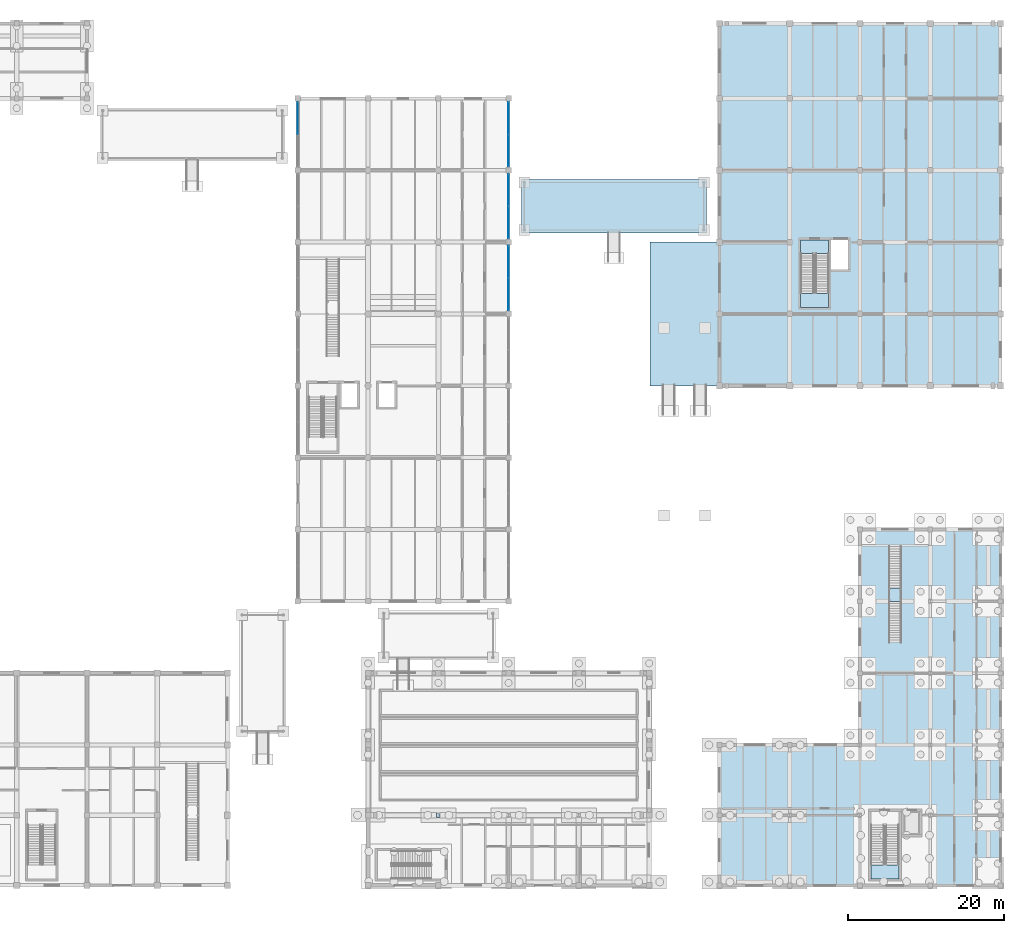
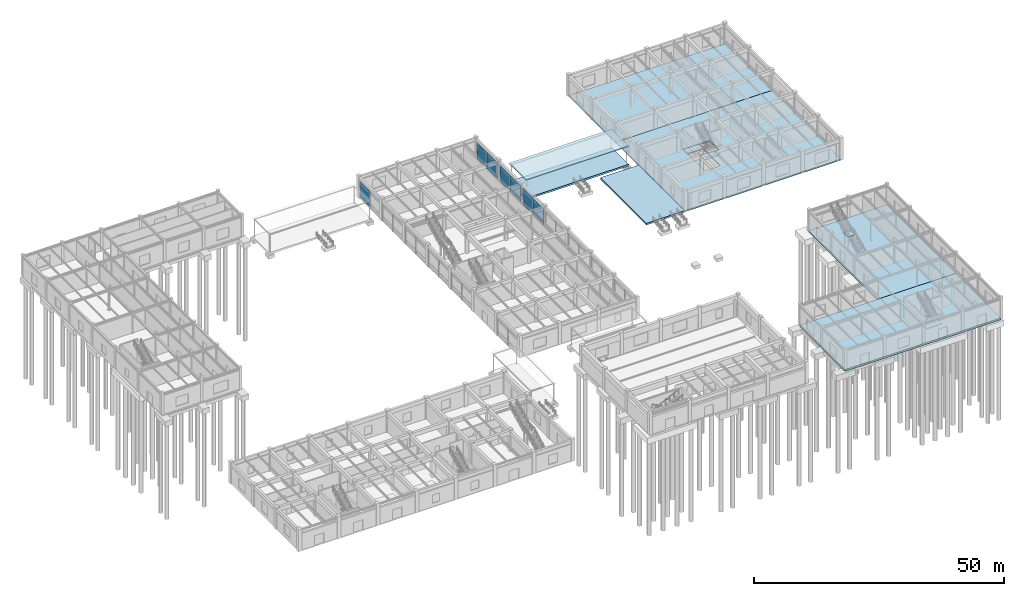
# One storey, part 37 of 76: 22 plates, 11 slabs, 7 elements without a shape of their own.
"""IFC4 building model written with IfcOpenShell, lengths in metres."""

from ifc_helpers import new_model, si_unit, direction, frame, origin, origin_2d, place, context, subcontext, project, spatial, polyline, rectangle, outline, extrude, material, layer, layer_set, type_object, element, aggregate, save


model = new_model("IFC4")

# Units and contexts
model_context = context("Model", 3, precision=1e-05, world=origin(), true_north=direction((0.0, 1.0)))
body_context = subcontext(model_context, "Body", "Model", "MODEL_VIEW")
ifc_project = project(units=[si_unit("LENGTHUNIT", "METRE"), si_unit("AREAUNIT", "SQUARE_METRE"), si_unit("VOLUMEUNIT", "CUBIC_METRE"), si_unit("PLANEANGLEUNIT", "RADIAN"), si_unit("MASSUNIT", "GRAM", prefix="KILO")], contexts=[model_context])

# Site, building, storey
site_placement = place(None, origin())
site = spatial("IfcSite", under=ifc_project, at=site_placement, CompositionType="ELEMENT")
building_placement = place(site_placement, origin())
building = spatial("IfcBuilding", under=site, at=building_placement, Name="Bozkorgan Art Gallery", CompositionType="ELEMENT")
storey_placement = place(building_placement, origin())
storey = spatial("IfcBuildingStorey", under=building, at=storey_placement, Name="L00", CompositionType="ELEMENT", Elevation=0.0)

# Curtain wall, plates
ifc_material_1 = material(Name="Anodised Bronze Aluminium", Category="aluminium")
curtain_wall_type = type_object("IfcCurtainWallType", Name="CW-CW-87", PredefinedType="NOTDEFINED", material=ifc_material_1)
curtain_wall_1_placement = place(storey_placement, origin())
curtain_wall_1 = element("IfcCurtainWall", 1, at=curtain_wall_1_placement, inside=storey, type_object=curtain_wall_type, Name="L00 unitised curtain wall CW-V4-L00-1E-16", PredefinedType="NOTDEFINED")
ifc_material_2 = material(Name="Triple Low-E Laminated Glass", Category="glass")
ifc_layer_1 = layer(ifc_material_2, 0.0439453125, Name="Triple Low-E Laminated Glass")
ifc_layer_set_1 = layer_set([ifc_layer_1], Name="Triple Low-E Laminated Glass")
plate_type_1 = type_object("IfcPlateType", Name="CWP-GLZ", PredefinedType="CURTAIN_PANEL", material=ifc_layer_set_1)
plate_1_placement = place(storey_placement, frame((101.0, 77.726318359375, 0.10009765625), z_axis=(0.0, 0.0, 1.0), x_axis=(0.0, 1.0, 0.0)))
plate_1 = element("IfcPlate", 2, at=plate_1_placement, type_object=plate_type_1, Name="CW-87 panel 1.1", PredefinedType="CURTAIN_PANEL", context=body_context, shape_type="SweptSolid", body=[
    extrude(rectangle(XDim=4.072509765625, YDim=0.0439453125, at=origin_2d()), origin(), (0.0, 0.0, 1.0), 0.780029296875),
])
plate_2_placement = place(storey_placement, frame((101.0, 77.726318359375, 0.9599609375), z_axis=(0.0, 0.0, 1.0), x_axis=(0.0, 1.0, 0.0)))
plate_2 = element("IfcPlate", 3, at=plate_2_placement, type_object=plate_type_1, Name="CW-87 panel 1.2", PredefinedType="CURTAIN_PANEL", context=body_context, shape_type="SweptSolid", body=[
    extrude(rectangle(XDim=4.072509765625, YDim=0.0439453125, at=origin_2d()), origin(), (0.0, 0.0, 1.0), 2.544921875),
])
plate_3_placement = place(storey_placement, frame((101.0, 77.726318359375, 3.5849609375), z_axis=(0.0, 0.0, 1.0), x_axis=(0.0, 1.0, 0.0)))
plate_3 = element("IfcPlate", 4, at=plate_3_placement, type_object=plate_type_1, Name="CW-87 panel 1.3", PredefinedType="CURTAIN_PANEL", context=body_context, shape_type="SweptSolid", body=[
    extrude(rectangle(XDim=4.072509765625, YDim=0.0439453125, at=origin_2d()), origin(), (0.0, 0.0, 1.0), 0.530029296875),
])
plate_4_placement = place(storey_placement, frame((101.0, 81.873779296875, 0.10009765625), z_axis=(0.0, 0.0, 1.0), x_axis=(0.0, 1.0, 0.0)))
plate_4 = element("IfcPlate", 5, at=plate_4_placement, type_object=plate_type_1, Name="CW-87 panel 2.1", PredefinedType="CURTAIN_PANEL", context=body_context, shape_type="SweptSolid", body=[
    extrude(rectangle(XDim=4.072509765625, YDim=0.0439453125, at=origin_2d()), origin(), (0.0, 0.0, 1.0), 0.780029296875),
])
plate_5_placement = place(storey_placement, frame((101.0, 81.873779296875, 0.9599609375), z_axis=(0.0, 0.0, 1.0), x_axis=(0.0, 1.0, 0.0)))
plate_5 = element("IfcPlate", 6, at=plate_5_placement, type_object=plate_type_1, Name="CW-87 panel 2.2", PredefinedType="CURTAIN_PANEL", context=body_context, shape_type="SweptSolid", body=[
    extrude(rectangle(XDim=4.072509765625, YDim=0.0439453125, at=origin_2d()), origin(), (0.0, 0.0, 1.0), 2.544921875),
])
plate_6_placement = place(storey_placement, frame((101.0, 81.873779296875, 3.5849609375), z_axis=(0.0, 0.0, 1.0), x_axis=(0.0, 1.0, 0.0)))
plate_6 = element("IfcPlate", 7, at=plate_6_placement, type_object=plate_type_1, Name="CW-87 panel 2.3", PredefinedType="CURTAIN_PANEL", context=body_context, shape_type="SweptSolid", body=[
    extrude(rectangle(XDim=4.072509765625, YDim=0.0439453125, at=origin_2d()), origin(), (0.0, 0.0, 1.0), 0.530029296875),
])
aggregate(curtain_wall_1, [plate_1, plate_2, plate_3, plate_4, plate_5, plate_6])

curtain_wall_2_placement = place(storey_placement, origin())
curtain_wall_2 = element("IfcCurtainWall", 8, at=curtain_wall_2_placement, inside=storey, type_object=curtain_wall_type, Name="L00 unitised curtain wall CW-V4-L00-1E-18", PredefinedType="NOTDEFINED")
plate_7_placement = place(storey_placement, frame((101.0, 86.92626953125, 0.10009765625), z_axis=(0.0, 0.0, 1.0), x_axis=(0.0, 1.0, 0.0)))
plate_7 = element("IfcPlate", 9, at=plate_7_placement, type_object=plate_type_1, Name="CW-87 panel 1.1", PredefinedType="CURTAIN_PANEL", context=body_context, shape_type="SweptSolid", body=[
    extrude(rectangle(XDim=4.072509765625, YDim=0.0439453125, at=origin_2d()), origin(), (0.0, 0.0, 1.0), 0.780029296875),
])
plate_8_placement = place(storey_placement, frame((101.0, 86.92626953125, 0.9599609375), z_axis=(0.0, 0.0, 1.0), x_axis=(0.0, 1.0, 0.0)))
plate_8 = element("IfcPlate", 10, at=plate_8_placement, type_object=plate_type_1, Name="CW-87 panel 1.2", PredefinedType="CURTAIN_PANEL", context=body_context, shape_type="SweptSolid", body=[
    extrude(rectangle(XDim=4.072509765625, YDim=0.0439453125, at=origin_2d()), origin(), (0.0, 0.0, 1.0), 2.544921875),
])
plate_9_placement = place(storey_placement, frame((101.0, 86.92626953125, 3.5849609375), z_axis=(0.0, 0.0, 1.0), x_axis=(0.0, 1.0, 0.0)))
plate_9 = element("IfcPlate", 11, at=plate_9_placement, type_object=plate_type_1, Name="CW-87 panel 1.3", PredefinedType="CURTAIN_PANEL", context=body_context, shape_type="SweptSolid", body=[
    extrude(rectangle(XDim=4.072509765625, YDim=0.0439453125, at=origin_2d()), origin(), (0.0, 0.0, 1.0), 0.530029296875),
])
plate_10_placement = place(storey_placement, frame((101.0, 91.07373046875, 0.10009765625), z_axis=(0.0, 0.0, 1.0), x_axis=(0.0, 1.0, 0.0)))
plate_10 = element("IfcPlate", 12, at=plate_10_placement, type_object=plate_type_1, Name="CW-87 panel 2.1", PredefinedType="CURTAIN_PANEL", context=body_context, shape_type="SweptSolid", body=[
    extrude(rectangle(XDim=4.072509765625, YDim=0.0439453125, at=origin_2d()), origin(), (0.0, 0.0, 1.0), 0.780029296875),
])
plate_11_placement = place(storey_placement, frame((101.0, 91.07373046875, 0.9599609375), z_axis=(0.0, 0.0, 1.0), x_axis=(0.0, 1.0, 0.0)))
plate_11 = element("IfcPlate", 13, at=plate_11_placement, type_object=plate_type_1, Name="CW-87 panel 2.2", PredefinedType="CURTAIN_PANEL", context=body_context, shape_type="SweptSolid", body=[
    extrude(rectangle(XDim=4.072509765625, YDim=0.0439453125, at=origin_2d()), origin(), (0.0, 0.0, 1.0), 2.544921875),
])
plate_12_placement = place(storey_placement, frame((101.0, 91.07373046875, 3.5849609375), z_axis=(0.0, 0.0, 1.0), x_axis=(0.0, 1.0, 0.0)))
plate_12 = element("IfcPlate", 14, at=plate_12_placement, type_object=plate_type_1, Name="CW-87 panel 2.3", PredefinedType="CURTAIN_PANEL", context=body_context, shape_type="SweptSolid", body=[
    extrude(rectangle(XDim=4.072509765625, YDim=0.0439453125, at=origin_2d()), origin(), (0.0, 0.0, 1.0), 0.530029296875),
])
aggregate(curtain_wall_2, [plate_7, plate_8, plate_9, plate_10, plate_11, plate_12])

curtain_wall_3_placement = place(storey_placement, origin())
curtain_wall_3 = element("IfcCurtainWall", 15, at=curtain_wall_3_placement, inside=storey, type_object=curtain_wall_type, Name="L00 unitised curtain wall CW-V4-L00-1W-19", PredefinedType="NOTDEFINED")
plate_13_placement = place(storey_placement, frame((74.0, 100.273681640625, 0.10009765625), z_axis=(0.0, 0.0, 1.0), x_axis=(0.0, 1.0, 0.0)))
plate_13 = element("IfcPlate", 16, at=plate_13_placement, type_object=plate_type_1, Name="CW-87 panel 2.1", PredefinedType="CURTAIN_PANEL", context=body_context, shape_type="SweptSolid", body=[
    extrude(rectangle(XDim=4.072509765625, YDim=0.0439453125, at=origin_2d()), origin(), (0.0, 0.0, 1.0), 0.780029296875),
])
plate_14_placement = place(storey_placement, frame((74.0, 100.273681640625, 0.9599609375), z_axis=(0.0, 0.0, 1.0), x_axis=(0.0, 1.0, 0.0)))
plate_14 = element("IfcPlate", 17, at=plate_14_placement, type_object=plate_type_1, Name="CW-87 panel 2.2", PredefinedType="CURTAIN_PANEL", context=body_context, shape_type="SweptSolid", body=[
    extrude(rectangle(XDim=4.072509765625, YDim=0.0439453125, at=origin_2d()), origin(), (0.0, 0.0, 1.0), 2.544921875),
])
plate_15_placement = place(storey_placement, frame((74.0, 100.273681640625, 3.5849609375), z_axis=(0.0, 0.0, 1.0), x_axis=(0.0, 1.0, 0.0)))
plate_15 = element("IfcPlate", 18, at=plate_15_placement, type_object=plate_type_1, Name="CW-87 panel 2.3", PredefinedType="CURTAIN_PANEL", context=body_context, shape_type="SweptSolid", body=[
    extrude(rectangle(XDim=4.072509765625, YDim=0.0439453125, at=origin_2d()), origin(), (0.0, 0.0, 1.0), 0.530029296875),
])
aggregate(curtain_wall_3, [plate_13, plate_14, plate_15])

curtain_wall_4_placement = place(storey_placement, origin())
curtain_wall_4 = element("IfcCurtainWall", 19, at=curtain_wall_4_placement, inside=storey, type_object=curtain_wall_type, Name="L00 unitised curtain wall CW-V4-L00-1E-20", PredefinedType="NOTDEFINED")
plate_16_placement = place(storey_placement, frame((101.0, 96.126220703125, 0.10009765625), z_axis=(0.0, 0.0, 1.0), x_axis=(0.0, 1.0, 0.0)))
plate_16 = element("IfcPlate", 20, at=plate_16_placement, type_object=plate_type_1, Name="CW-87 panel 1.1", PredefinedType="CURTAIN_PANEL", context=body_context, shape_type="SweptSolid", body=[
    extrude(rectangle(XDim=4.072509765625, YDim=0.0439453125, at=origin_2d()), origin(), (0.0, 0.0, 1.0), 0.780029296875),
])
plate_17_placement = place(storey_placement, frame((101.0, 96.126220703125, 0.9599609375), z_axis=(0.0, 0.0, 1.0), x_axis=(0.0, 1.0, 0.0)))
plate_17 = element("IfcPlate", 21, at=plate_17_placement, type_object=plate_type_1, Name="CW-87 panel 1.2", PredefinedType="CURTAIN_PANEL", context=body_context, shape_type="SweptSolid", body=[
    extrude(rectangle(XDim=4.072509765625, YDim=0.0439453125, at=origin_2d()), origin(), (0.0, 0.0, 1.0), 2.544921875),
])
plate_18_placement = place(storey_placement, frame((101.0, 96.126220703125, 3.5849609375), z_axis=(0.0, 0.0, 1.0), x_axis=(0.0, 1.0, 0.0)))
plate_18 = element("IfcPlate", 22, at=plate_18_placement, type_object=plate_type_1, Name="CW-87 panel 1.3", PredefinedType="CURTAIN_PANEL", context=body_context, shape_type="SweptSolid", body=[
    extrude(rectangle(XDim=4.072509765625, YDim=0.0439453125, at=origin_2d()), origin(), (0.0, 0.0, 1.0), 0.530029296875),
])
plate_19_placement = place(storey_placement, frame((101.0, 100.273681640625, 0.10009765625), z_axis=(0.0, 0.0, 1.0), x_axis=(0.0, 1.0, 0.0)))
plate_19 = element("IfcPlate", 23, at=plate_19_placement, type_object=plate_type_1, Name="CW-87 panel 2.1", PredefinedType="CURTAIN_PANEL", context=body_context, shape_type="SweptSolid", body=[
    extrude(rectangle(XDim=4.072509765625, YDim=0.0439453125, at=origin_2d()), origin(), (0.0, 0.0, 1.0), 0.780029296875),
])
plate_20_placement = place(storey_placement, frame((101.0, 100.273681640625, 0.9599609375), z_axis=(0.0, 0.0, 1.0), x_axis=(0.0, 1.0, 0.0)))
plate_20 = element("IfcPlate", 24, at=plate_20_placement, type_object=plate_type_1, Name="CW-87 panel 2.2", PredefinedType="CURTAIN_PANEL", context=body_context, shape_type="SweptSolid", body=[
    extrude(rectangle(XDim=4.072509765625, YDim=0.0439453125, at=origin_2d()), origin(), (0.0, 0.0, 1.0), 2.544921875),
])
plate_21_placement = place(storey_placement, frame((101.0, 100.273681640625, 3.5849609375), z_axis=(0.0, 0.0, 1.0), x_axis=(0.0, 1.0, 0.0)))
plate_21 = element("IfcPlate", 25, at=plate_21_placement, type_object=plate_type_1, Name="CW-87 panel 2.3", PredefinedType="CURTAIN_PANEL", context=body_context, shape_type="SweptSolid", body=[
    extrude(rectangle(XDim=4.072509765625, YDim=0.0439453125, at=origin_2d()), origin(), (0.0, 0.0, 1.0), 0.530029296875),
])
aggregate(curtain_wall_4, [plate_16, plate_17, plate_18, plate_19, plate_20, plate_21])

# Stair, slab
ifc_material_3 = material(Name="Concrete C35/45", Category="concrete")
stair_type_1 = type_object("IfcStairType", Name="STAIR-CORE3", PredefinedType="HALF_TURN_STAIR", material=ifc_material_3)
stair_1_placement = place(storey_placement, origin())
stair_1 = element("IfcStair", 26, at=stair_1_placement, inside=storey, type_object=stair_type_1, Name="L00 ST3 Core Stair", PredefinedType="HALF_TURN_STAIR")
ifc_layer_2 = layer(ifc_material_3, 0.25, Name="Concrete C35/45")
ifc_layer_set_2 = layer_set([ifc_layer_2], Name="Concrete C35/45")
slab_type_1 = type_object("IfcSlabType", Name="LAND-CORE3", PredefinedType="LANDING", material=ifc_layer_set_2)
slab_1_placement = place(storey_placement, frame((0.0, 0.0, 2.5)))
slab_1 = element("IfcSlab", 27, at=slab_1_placement, type_object=slab_type_1, Name="ST3 landing 1", PredefinedType="LANDING", context=body_context, shape_type="SweptSolid", body=[
    extrude(outline(polyline([(138.39990234375, 77.85009765625), (138.39990234375, 76.050048828125), (142.0, 76.050048828125), (142.0, 77.85009765625), (138.39990234375, 77.85009765625)])), origin(), (0.0, 0.0, 1.0), 0.199951171875),
])
aggregate(stair_1, [slab_1])

# Slab
slab_2_placement = place(storey_placement, frame((0.0, 0.0, -0.320068359375)))
element("IfcSlab", 28, at=slab_2_placement, inside=storey, type_object=slab_type_1, Name="ST3 L00 floor landing", PredefinedType="LANDING", context=body_context, shape_type="SweptSolid", body=[
    extrude(outline(polyline([(138.39990234375, 82.949951171875), (142.0, 82.949951171875), (142.0, 84.699951171875), (138.39990234375, 84.699951171875), (138.39990234375, 82.949951171875)])), origin(), (0.0, 0.0, 1.0), 0.320068359375),
])

# Stair, slab
stair_type_2 = type_object("IfcStairType", Name="STAIR-CORE4", PredefinedType="HALF_TURN_STAIR", material=ifc_material_3)
stair_2_placement = place(storey_placement, origin())
stair_2 = element("IfcStair", 29, at=stair_2_placement, inside=storey, type_object=stair_type_2, Name="L00 ST4 Core Stair", PredefinedType="HALF_TURN_STAIR")
ifc_layer_3 = layer(ifc_material_3, 0.25, Name="Concrete C35/45")
ifc_layer_set_3 = layer_set([ifc_layer_3], Name="Concrete C35/45")
slab_type_2 = type_object("IfcSlabType", Name="LAND-CORE4", PredefinedType="LANDING", material=ifc_layer_set_3)
slab_3_placement = place(storey_placement, frame((0.0, 0.0, 2.5)))
slab_3 = element("IfcSlab", 30, at=slab_3_placement, type_object=slab_type_2, Name="ST4 landing 1", PredefinedType="LANDING", context=body_context, shape_type="SweptSolid", body=[
    extrude(outline(polyline([(147.39990234375, 4.64990234375), (147.39990234375, 2.85009765625), (151.0, 2.85009765625), (151.0, 4.64990234375), (147.39990234375, 4.64990234375)])), origin(), (0.0, 0.0, 1.0), 0.199951171875),
])
aggregate(stair_2, [slab_3])

ifc_material_4 = material(Name="Steel S355J2", Category="steel")
stair_type_3 = type_object("IfcStairType", Name="FSTAIR-ST11", PredefinedType="STRAIGHT_RUN_STAIR", material=ifc_material_4)
stair_3_placement = place(storey_placement, origin())
stair_3 = element("IfcStair", 31, at=stair_3_placement, inside=storey, type_object=stair_type_3, Name="ST11 Feature Stair (L00 to L01)", PredefinedType="STRAIGHT_RUN_STAIR")
ifc_layer_4 = layer(ifc_material_3, 0.239990234375, Name="Concrete C35/45")
ifc_layer_set_4 = layer_set([ifc_layer_4], Name="Concrete C35/45")
slab_type_3 = type_object("IfcSlabType", Name="LAND-FEAT", PredefinedType="LANDING", material=ifc_layer_set_4)
slab_4_placement = place(storey_placement, frame((0.0, 0.0, 2.4599609375)))
slab_4 = element("IfcSlab", 32, at=slab_4_placement, type_object=slab_type_3, Name="ST11 intermediate landing", PredefinedType="LANDING", context=body_context, shape_type="SweptSolid", body=[
    extrude(outline(polyline([(149.7099609375, 38.39990234375), (151.2900390625, 38.39990234375), (151.2900390625, 40.1298828125), (149.7099609375, 40.1298828125), (149.7099609375, 38.39990234375)])), origin(), (0.0, 0.0, 1.0), 0.239990234375),
])
aggregate(stair_3, [slab_4])

# Plate
ifc_layer_5 = layer(ifc_material_4, 0.031982421875, Name="Steel S355J2")
ifc_layer_set_5 = layer_set([ifc_layer_5], Name="Steel S355J2")
plate_type_2 = type_object("IfcPlateType", Name="PLATE-BP-64", PredefinedType="USERDEFINED", material=ifc_layer_set_5)
plate_22_placement = place(storey_placement, frame((92.0, 11.0, 0.0), z_axis=(0.0, 0.0, 1.0), x_axis=(1.0, 0.0, 0.0)))
element("IfcPlate", 33, at=plate_22_placement, inside=storey, type_object=plate_type_2, Name="COL-V3-L00-92-11 base plate", ObjectType="END CAP PLATE", PredefinedType="USERDEFINED", context=body_context, shape_type="SweptSolid", body=[
    extrude(rectangle(XDim=0.4599609375, YDim=0.610107421875, at=origin_2d()), origin(), (0.0, 0.0, 1.0), 0.031982421875),
])

# Slabs
ifc_layer_6 = layer(ifc_material_3, 0.419921875, Name="Concrete C35/45")
ifc_layer_set_6 = layer_set([ifc_layer_6], Name="Concrete C35/45")
slab_type_4 = type_object("IfcSlabType", Name="SLAB-AP-96", PredefinedType="BASESLAB", material=ifc_layer_set_6)
slab_5_placement = place(storey_placement, frame((0.0, 0.0, -0.419921875)))
element("IfcSlab", 34, at=slab_5_placement, inside=storey, type_object=slab_type_4, Name="Loading Dock Apron and Service Yard", PredefinedType="BASESLAB", context=body_context, shape_type="SweptSolid", body=[
    extrude(outline(polyline([(119.10009765625, 66.0), (127.949951171875, 66.0), (127.949951171875, 84.39990234375), (119.10009765625, 84.39990234375), (119.10009765625, 66.0)])), origin(), (0.0, 0.0, 1.0), 0.419921875),
])
ifc_layer_7 = layer(ifc_material_3, 0.449951171875, Name="Concrete C35/45")
ifc_layer_set_7 = layer_set([ifc_layer_7], Name="Concrete C35/45")
slab_type_5 = type_object("IfcSlabType", Name="SLAB-BS-75", PredefinedType="BASESLAB", material=ifc_layer_set_7)
slab_6_placement = place(storey_placement, frame((0.0, 0.0, -0.449951171875)))
element("IfcSlab", 35, at=slab_6_placement, inside=storey, type_object=slab_type_5, Name="V6 L00 base slab 1.1", PredefinedType="BASESLAB", context=body_context, shape_type="SweptSolid", body=[
    extrude(outline(polyline([(128.0, 2.0), (164.0, 2.0), (164.0, 20.0), (128.0, 20.0), (128.0, 2.0)])), origin(), (0.0, 0.0, 1.0), 0.449951171875),
])
slab_7_placement = place(storey_placement, frame((0.0, 0.0, -0.449951171875)))
element("IfcSlab", 36, at=slab_7_placement, inside=storey, type_object=slab_type_5, Name="V6 L00 base slab 2.1", PredefinedType="BASESLAB", context=body_context, shape_type="SweptSolid", body=[
    extrude(outline(polyline([(146.0, 20.0), (164.0, 20.0), (164.0, 47.60009765625), (146.0, 47.60009765625), (146.0, 20.0)])), origin(), (0.0, 0.0, 1.0), 0.449951171875),
])
ifc_layer_8 = layer(ifc_material_3, 0.320068359375, Name="Concrete C35/45")
ifc_layer_set_8 = layer_set([ifc_layer_8], Name="Concrete C35/45")
slab_type_6 = type_object("IfcSlabType", Name="SLAB-SL-59", PredefinedType="FLOOR", material=ifc_layer_set_8)
slab_8_placement = place(storey_placement, frame((0.0, 0.0, -0.320068359375)))
element("IfcSlab", 37, at=slab_8_placement, inside=storey, type_object=slab_type_6, Name="V5 L00 floor slab 1.1", PredefinedType="FLOOR", context=body_context, shape_type="SweptSolid", body=[
    extrude(outline(polyline([(128.0, 66.0), (164.0, 66.0), (164.0, 93.60009765625), (128.0, 93.60009765625), (128.0, 66.0)]), holes=[polyline([(138.39990234375, 76.050048828125), (142.0, 76.050048828125), (142.0, 84.699951171875), (138.39990234375, 84.699951171875), (138.39990234375, 76.050048828125)]), polyline([(142.300048828125, 80.89990234375), (144.5, 80.89990234375), (144.5, 84.699951171875), (142.300048828125, 84.699951171875), (142.300048828125, 80.89990234375)])]), origin(), (0.0, 0.0, 1.0), 0.320068359375),
])
slab_9_placement = place(storey_placement, frame((0.0, 0.0, -0.320068359375)))
element("IfcSlab", 38, at=slab_9_placement, inside=storey, type_object=slab_type_6, Name="V5 L00 floor slab 1.2", PredefinedType="FLOOR", context=body_context, shape_type="SweptSolid", body=[
    extrude(outline(polyline([(128.0, 93.60009765625), (164.0, 93.60009765625), (164.0, 112.39990234375), (128.0, 112.39990234375), (128.0, 93.60009765625)])), origin(), (0.0, 0.0, 1.0), 0.320068359375),
])
ifc_layer_9 = layer(ifc_material_3, 0.43994140625, Name="Concrete C35/45")
ifc_layer_set_9 = layer_set([ifc_layer_9], Name="Concrete C35/45")
slab_type_7 = type_object("IfcSlabType", Name="SLAB-WB-45", PredefinedType="BASESLAB", material=ifc_layer_set_9)
slab_10_placement = place(storey_placement, frame((0.0, 0.0, -0.43994140625)))
element("IfcSlab", 39, at=slab_10_placement, inside=storey, type_object=slab_type_7, Name="East Water-Court Covered Walk deck slab", PredefinedType="BASESLAB", context=body_context, shape_type="SweptSolid", body=[
    extrude(outline(polyline([(102.64990234375, 85.60009765625), (126.35009765625, 85.60009765625), (126.35009765625, 92.39990234375), (102.64990234375, 92.39990234375), (102.64990234375, 85.60009765625)])), origin(), (0.0, 0.0, 1.0), 0.43994140625),
])
ifc_layer_10 = layer(ifc_material_3, 0.199951171875, Name="Concrete C35/45")
ifc_layer_set_10 = layer_set([ifc_layer_10], Name="Concrete C35/45")
slab_type_8 = type_object("IfcSlabType", Name="SLAB-WR-42", PredefinedType="ROOF", material=ifc_layer_set_10)
slab_11_placement = place(storey_placement, frame((0.0, 0.0, 4.300048828125)))
element("IfcSlab", 40, at=slab_11_placement, inside=storey, type_object=slab_type_8, Name="East Water-Court Covered Walk canopy slab", PredefinedType="ROOF", context=body_context, shape_type="SweptSolid", body=[
    extrude(outline(polyline([(102.64990234375, 85.60009765625), (126.35009765625, 85.60009765625), (126.35009765625, 92.39990234375), (102.64990234375, 92.39990234375), (102.64990234375, 85.60009765625)])), origin(), (0.0, 0.0, 1.0), 0.199951171875),
])

save(model, "model.ifc")
